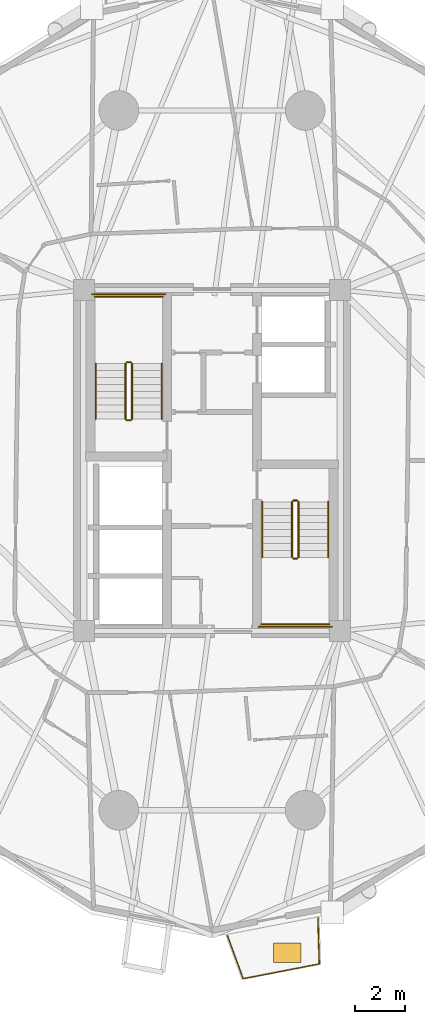
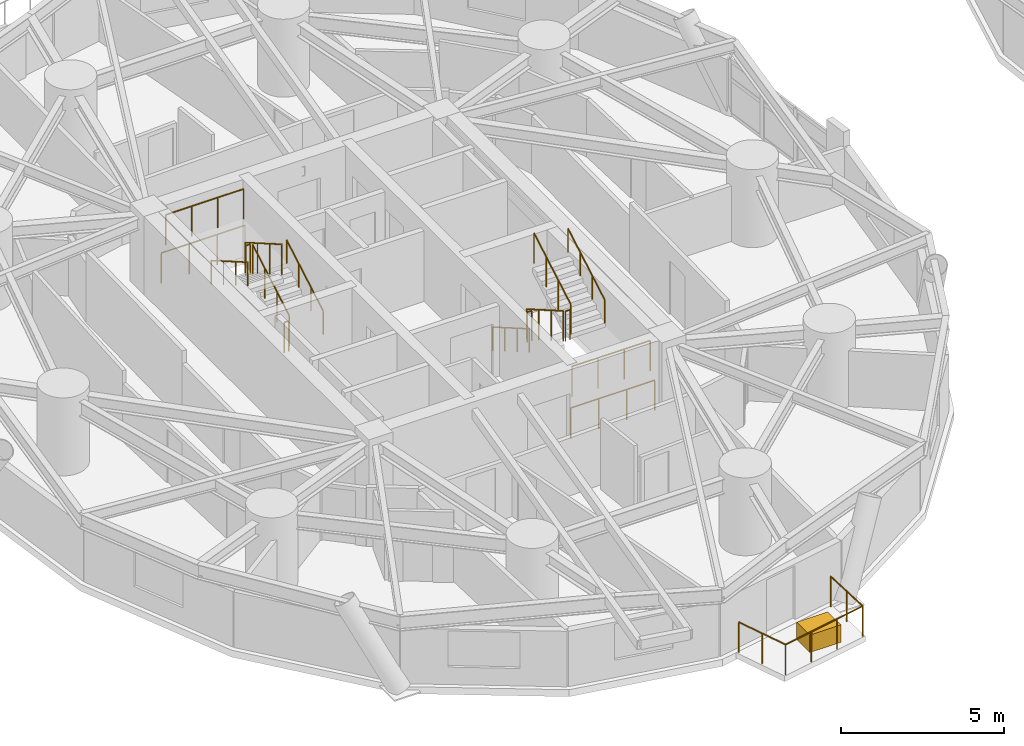
# One storey, part 18 of 20: 17 railings, 1 covering.
"""IFC4 building model written with IfcOpenShell, lengths in metres."""

from ifc_helpers import new_model, si_unit, direction, frame, origin, origin_2d, place, context, subcontext, project, spatial, rectangle, circle, extrude, source, transform, mapped, material, layer, layer_set, type_object, element, save


model = new_model("IFC4")

# Units and contexts
model_context = context("Model", 3, precision=1e-05, world=origin(), true_north=direction((0.0, 1.0)))
body_context = subcontext(model_context, "Body", "Model", "MODEL_VIEW")
ifc_project = project(units=[si_unit("LENGTHUNIT", "METRE"), si_unit("AREAUNIT", "SQUARE_METRE"), si_unit("VOLUMEUNIT", "CUBIC_METRE"), si_unit("PLANEANGLEUNIT", "RADIAN"), si_unit("MASSUNIT", "GRAM", prefix="KILO")], contexts=[model_context])

# Site, building, storey
site_placement = place(None, origin())
site = spatial("IfcSite", under=ifc_project, at=site_placement, CompositionType="ELEMENT")
building_placement = place(site_placement, origin())
building = spatial("IfcBuilding", under=site, at=building_placement, Name="Cununo Teusaquillo Station Towers", CompositionType="ELEMENT")
storey_placement = place(building_placement, frame((0.0, 0.0, 39.4599609375)))
storey = spatial("IfcBuildingStorey", under=building, at=storey_placement, Name="L11", CompositionType="ELEMENT", Elevation=39.4599609375)

# Railings
ifc_material_1 = material(Name="Anodised dark bronze aluminium EN AW-6063-T6", Category="aluminium")
railing_type_1 = type_object("IfcRailingType", Name="RL-EXT-GUARD", PredefinedType="GUARDRAIL", material=ifc_material_1)
railing_1_placement = place(storey_placement, frame((20.773193359375, 6.034423828125, 0.0)))
element("IfcRailing", 1, at=railing_1_placement, inside=storey, type_object=railing_type_1, Name="L11 Tower A Balcony Guardrail C15", PredefinedType="GUARDRAIL", context=body_context, shape_type="SweptSolid", body=[
    extrude(circle(Radius=0.02392578125, at=origin_2d()), frame((0.0, 0.0, 1.1259765625), z_axis=(0.030666047799, -0.999529686159, 0.0), x_axis=(0.999529686159, 0.030666047799, 0.0)), (0.0, 0.0, 1.0), 1.863037109375),
    extrude(circle(Radius=0.02392578125, at=origin_2d()), frame((0.05712890625, -1.862060546875, 1.1259765625), z_axis=(-0.981838510886, -0.189718577217, 0.0), x_axis=(0.189718577217, -0.981838510886, 0.0)), (0.0, 0.0, 1.0), 3.12841796875),
    extrude(circle(Radius=0.02392578125, at=origin_2d()), frame((-3.014404296875, -2.45556640625, 1.1259765625), z_axis=(-0.343888798081, 0.93901038043, 0.0), x_axis=(-0.93901038043, -0.343888798081, 0.0)), (0.0, 0.0, 1.0), 1.86279296875),
    extrude(circle(Radius=0.02099609375, at=origin_2d()), origin(), (0.0, 0.0, 1.0), 1.101806640625),
    extrude(circle(Radius=0.02099609375, at=origin_2d()), frame((0.028564453125, -0.93115234375, 0.0)), (0.0, 0.0, 1.0), 1.101806640625),
    extrude(circle(Radius=0.02099609375, at=origin_2d()), frame((0.05712890625, -1.862060546875, 0.0)), (0.0, 0.0, 1.0), 1.101806640625),
    extrude(circle(Radius=0.02099609375, at=origin_2d()), frame((-0.966796875, -2.059814453125, 0.0)), (0.0, 0.0, 1.0), 1.101806640625),
    extrude(circle(Radius=0.02099609375, at=origin_2d()), frame((-1.990478515625, -2.2578125, 0.0)), (0.0, 0.0, 1.0), 1.101806640625),
    extrude(circle(Radius=0.02099609375, at=origin_2d()), frame((-3.014404296875, -2.45556640625, 0.0)), (0.0, 0.0, 1.0), 1.101806640625),
    extrude(circle(Radius=0.02099609375, at=origin_2d()), frame((-3.334716796875, -1.5810546875, 0.0)), (0.0, 0.0, 1.0), 1.101806640625),
    extrude(circle(Radius=0.02099609375, at=origin_2d()), frame((-3.655029296875, -0.706298828125, 0.0)), (0.0, 0.0, 1.0), 1.101806640625),
])
ifc_material_2 = material(Name="Steel EN 10025-2 S355J2", Category="steel")
railing_type_2 = type_object("IfcRailingType", Name="RL-INT-GUARD", PredefinedType="GUARDRAIL", material=ifc_material_2)
railing_2_placement = place(storey_placement, frame((13.27001953125, 26.169921875, 0.16162109375)))
element("IfcRailing", 2, at=railing_2_placement, inside=storey, type_object=railing_type_2, Name="L11 ST-T1-1 stair guard 1", PredefinedType="GUARDRAIL", context=body_context, shape_type="SweptSolid", body=[
    extrude(circle(Radius=0.02392578125, at=origin_2d()), frame((0.0, 0.0, 1.1259765625), z_axis=(0.0, 0.865992244559, 0.500057429065), x_axis=(-1.0, 0.0, 0.0)), (0.0, 0.0, 1.0), 2.586669921875),
    extrude(circle(Radius=0.02099609375, at=origin_2d()), origin(), (0.0, 0.0, 1.0), 1.101806640625),
    extrude(circle(Radius=0.02099609375, at=origin_2d()), frame((0.0, 0.74658203125, 0.43115234375)), (0.0, 0.0, 1.0), 1.101806640625),
    extrude(circle(Radius=0.02099609375, at=origin_2d()), frame((0.0, 1.493408203125, 0.8623046875)), (0.0, 0.0, 1.0), 1.101806640625),
    extrude(circle(Radius=0.02099609375, at=origin_2d()), frame((0.0, 2.239990234375, 1.29345703125)), (0.0, 0.0, 1.0), 1.101806640625),
])
railing_3_placement = place(storey_placement, frame((13.219970703125, 28.4599609375, 1.455078125)))
element("IfcRailing", 3, at=railing_3_placement, inside=storey, type_object=railing_type_2, Name="L11 ST-T1-1 stair guard 2", PredefinedType="GUARDRAIL", context=body_context, shape_type="SweptSolid", body=[
    extrude(circle(Radius=0.02392578125, at=origin_2d()), frame((0.0, 0.0, 1.1259765625), z_axis=(-1.0, 0.0, 0.0), x_axis=(0.0, -1.0, 0.0)), (0.0, 0.0, 1.0), 0.159912109375),
    extrude(circle(Radius=0.02099609375, at=origin_2d()), origin(), (0.0, 0.0, 1.0), 1.101806640625),
    extrude(circle(Radius=0.02099609375, at=origin_2d()), frame((-0.159912109375, 0.0, 0.0)), (0.0, 0.0, 1.0), 1.101806640625),
])
railing_4_placement = place(storey_placement, frame((14.52001953125, 31.110107421875, 1.455078125)))
element("IfcRailing", 4, at=railing_4_placement, inside=storey, type_object=railing_type_2, Name="L11 ST-T1-1 stair guard 3", PredefinedType="GUARDRAIL", context=body_context, shape_type="SweptSolid", body=[
    extrude(circle(Radius=0.02392578125, at=origin_2d()), frame((0.0, 0.0, 1.1259765625), z_axis=(-1.0, 0.0, 0.0), x_axis=(0.0, -1.0, 0.0)), (0.0, 0.0, 1.0), 2.760009765625),
    extrude(circle(Radius=0.02099609375, at=origin_2d()), origin(), (0.0, 0.0, 1.0), 1.101806640625),
    extrude(circle(Radius=0.02099609375, at=origin_2d()), frame((-0.919921875, 0.0, 0.0)), (0.0, 0.0, 1.0), 1.101806640625),
    extrude(circle(Radius=0.02099609375, at=origin_2d()), frame((-1.840087890625, 0.0, 0.0)), (0.0, 0.0, 1.0), 1.101806640625),
    extrude(circle(Radius=0.02099609375, at=origin_2d()), frame((-2.760009765625, 0.0, 0.0)), (0.0, 0.0, 1.0), 1.101806640625),
])
railing_5_placement = place(storey_placement, frame((13.010009765625, 28.409912109375, 1.61669921875)))
element("IfcRailing", 5, at=railing_5_placement, inside=storey, type_object=railing_type_2, Name="L11 ST-T1-1 stair guard 4", PredefinedType="GUARDRAIL", context=body_context, shape_type="SweptSolid", body=[
    extrude(circle(Radius=0.02392578125, at=origin_2d()), frame((0.0, 0.0, 1.1259765625), z_axis=(0.0, -0.865992244559, 0.500057429065), x_axis=(1.0, 0.0, 0.0)), (0.0, 0.0, 1.0), 2.586669921875),
    extrude(circle(Radius=0.02099609375, at=origin_2d()), origin(), (0.0, 0.0, 1.0), 1.101806640625),
    extrude(circle(Radius=0.02099609375, at=origin_2d()), frame((0.0, -0.74658203125, 0.43115234375)), (0.0, 0.0, 1.0), 1.101806640625),
    extrude(circle(Radius=0.02099609375, at=origin_2d()), frame((0.0, -1.493408203125, 0.8623046875)), (0.0, 0.0, 1.0), 1.101806640625),
    extrude(circle(Radius=0.02099609375, at=origin_2d()), frame((0.0, -2.239990234375, 1.29345703125)), (0.0, 0.0, 1.0), 1.101806640625),
])
railing_6_placement = place(storey_placement, frame((13.219970703125, 26.1201171875, 0.0)))
element("IfcRailing", 6, at=railing_6_placement, inside=storey, type_object=railing_type_2, Name="L11 ST-T1-1 stair guard 5", PredefinedType="GUARDRAIL", context=body_context, shape_type="SweptSolid", body=[
    extrude(circle(Radius=0.02392578125, at=origin_2d()), frame((0.0, 0.0, 1.1259765625), z_axis=(-1.0, 0.0, 0.0), x_axis=(0.0, -1.0, 0.0)), (0.0, 0.0, 1.0), 0.159912109375),
    extrude(circle(Radius=0.02099609375, at=origin_2d()), origin(), (0.0, 0.0, 1.0), 1.101806640625),
    extrude(circle(Radius=0.02099609375, at=origin_2d()), frame((-0.159912109375, 0.0, 0.0)), (0.0, 0.0, 1.0), 1.101806640625),
])
railing_7_placement = place(storey_placement, frame((14.6201171875, 31.2099609375, 0.0)))
element("IfcRailing", 7, at=railing_7_placement, inside=storey, type_object=railing_type_2, Name="L11 ST-T1-1 stair guard 6", PredefinedType="GUARDRAIL", context=body_context, shape_type="SweptSolid", body=[
    extrude(circle(Radius=0.02392578125, at=origin_2d()), frame((0.0, 0.0, 1.1259765625), z_axis=(-1.0, 0.0, 0.0), x_axis=(0.0, -1.0, 0.0)), (0.0, 0.0, 1.0), 2.960205078125),
    extrude(circle(Radius=0.02099609375, at=origin_2d()), origin(), (0.0, 0.0, 1.0), 1.101806640625),
    extrude(circle(Radius=0.02099609375, at=origin_2d()), frame((-0.98681640625, 0.0, 0.0)), (0.0, 0.0, 1.0), 1.101806640625),
    extrude(circle(Radius=0.02099609375, at=origin_2d()), frame((-1.973388671875, 0.0, 0.0)), (0.0, 0.0, 1.0), 1.101806640625),
    extrude(circle(Radius=0.02099609375, at=origin_2d()), frame((-2.960205078125, 0.0, 0.0)), (0.0, 0.0, 1.0), 1.101806640625),
])
railing_8_placement = place(storey_placement, frame((19.72998046875, 22.830078125, 0.16162109375)))
element("IfcRailing", 8, at=railing_8_placement, inside=storey, type_object=railing_type_2, Name="L11 ST-T1-2 stair guard 1", PredefinedType="GUARDRAIL", context=body_context, shape_type="SweptSolid", body=[
    extrude(circle(Radius=0.02392578125, at=origin_2d()), frame((0.0, 0.0, 1.1259765625), z_axis=(0.0, -0.865992244559, 0.500057429065), x_axis=(1.0, 0.0, 0.0)), (0.0, 0.0, 1.0), 2.586669921875),
    extrude(circle(Radius=0.02099609375, at=origin_2d()), origin(), (0.0, 0.0, 1.0), 1.101806640625),
    extrude(circle(Radius=0.02099609375, at=origin_2d()), frame((0.0, -0.74658203125, 0.43115234375)), (0.0, 0.0, 1.0), 1.101806640625),
    extrude(circle(Radius=0.02099609375, at=origin_2d()), frame((0.0, -1.493408203125, 0.8623046875)), (0.0, 0.0, 1.0), 1.101806640625),
    extrude(circle(Radius=0.02099609375, at=origin_2d()), frame((0.0, -2.239990234375, 1.29345703125)), (0.0, 0.0, 1.0), 1.101806640625),
])
railing_9_placement = place(storey_placement, frame((19.780029296875, 20.5400390625, 1.455078125)))
element("IfcRailing", 9, at=railing_9_placement, inside=storey, type_object=railing_type_2, Name="L11 ST-T1-2 stair guard 2", PredefinedType="GUARDRAIL", context=body_context, shape_type="SweptSolid", body=[
    extrude(circle(Radius=0.02392578125, at=origin_2d()), frame((0.0, 0.0, 1.1259765625), z_axis=(1.0, 0.0, 0.0), x_axis=(0.0, 1.0, 0.0)), (0.0, 0.0, 1.0), 0.159912109375),
    extrude(circle(Radius=0.02099609375, at=origin_2d()), origin(), (0.0, 0.0, 1.0), 1.101806640625),
    extrude(circle(Radius=0.02099609375, at=origin_2d()), frame((0.159912109375, 0.0, 0.0)), (0.0, 0.0, 1.0), 1.101806640625),
])
railing_10_placement = place(storey_placement, frame((18.47998046875, 17.889892578125, 1.455078125)))
element("IfcRailing", 10, at=railing_10_placement, inside=storey, type_object=railing_type_2, Name="L11 ST-T1-2 stair guard 3", PredefinedType="GUARDRAIL", context=body_context, shape_type="SweptSolid", body=[
    extrude(circle(Radius=0.02392578125, at=origin_2d()), frame((0.0, 0.0, 1.1259765625), z_axis=(1.0, 0.0, 0.0), x_axis=(0.0, 1.0, 0.0)), (0.0, 0.0, 1.0), 2.760009765625),
    extrude(circle(Radius=0.02099609375, at=origin_2d()), origin(), (0.0, 0.0, 1.0), 1.101806640625),
    extrude(circle(Radius=0.02099609375, at=origin_2d()), frame((0.919921875, 0.0, 0.0)), (0.0, 0.0, 1.0), 1.101806640625),
    extrude(circle(Radius=0.02099609375, at=origin_2d()), frame((1.840087890625, 0.0, 0.0)), (0.0, 0.0, 1.0), 1.101806640625),
    extrude(circle(Radius=0.02099609375, at=origin_2d()), frame((2.760009765625, 0.0, 0.0)), (0.0, 0.0, 1.0), 1.101806640625),
])
railing_11_placement = place(storey_placement, frame((19.989990234375, 20.590087890625, 1.61669921875)))
element("IfcRailing", 11, at=railing_11_placement, inside=storey, type_object=railing_type_2, Name="L11 ST-T1-2 stair guard 4", PredefinedType="GUARDRAIL", context=body_context, shape_type="SweptSolid", body=[
    extrude(circle(Radius=0.02392578125, at=origin_2d()), frame((0.0, 0.0, 1.1259765625), z_axis=(0.0, 0.865992244559, 0.500057429065), x_axis=(-1.0, 0.0, 0.0)), (0.0, 0.0, 1.0), 2.586669921875),
    extrude(circle(Radius=0.02099609375, at=origin_2d()), origin(), (0.0, 0.0, 1.0), 1.101806640625),
    extrude(circle(Radius=0.02099609375, at=origin_2d()), frame((0.0, 0.74658203125, 0.43115234375)), (0.0, 0.0, 1.0), 1.101806640625),
    extrude(circle(Radius=0.02099609375, at=origin_2d()), frame((0.0, 1.493408203125, 0.8623046875)), (0.0, 0.0, 1.0), 1.101806640625),
    extrude(circle(Radius=0.02099609375, at=origin_2d()), frame((0.0, 2.239990234375, 1.29345703125)), (0.0, 0.0, 1.0), 1.101806640625),
])
railing_12_placement = place(storey_placement, frame((19.780029296875, 22.8798828125, 0.0)))
element("IfcRailing", 12, at=railing_12_placement, inside=storey, type_object=railing_type_2, Name="L11 ST-T1-2 stair guard 5", PredefinedType="GUARDRAIL", context=body_context, shape_type="SweptSolid", body=[
    extrude(circle(Radius=0.02392578125, at=origin_2d()), frame((0.0, 0.0, 1.1259765625), z_axis=(1.0, 0.0, 0.0), x_axis=(0.0, 1.0, 0.0)), (0.0, 0.0, 1.0), 0.159912109375),
    extrude(circle(Radius=0.02099609375, at=origin_2d()), origin(), (0.0, 0.0, 1.0), 1.101806640625),
    extrude(circle(Radius=0.02099609375, at=origin_2d()), frame((0.159912109375, 0.0, 0.0)), (0.0, 0.0, 1.0), 1.101806640625),
])
railing_13_placement = place(storey_placement, frame((18.3798828125, 17.7900390625, 0.0)))
element("IfcRailing", 13, at=railing_13_placement, inside=storey, type_object=railing_type_2, Name="L11 ST-T1-2 stair guard 6", PredefinedType="GUARDRAIL", context=body_context, shape_type="SweptSolid", body=[
    extrude(circle(Radius=0.02392578125, at=origin_2d()), frame((0.0, 0.0, 1.1259765625), z_axis=(1.0, 0.0, 0.0), x_axis=(0.0, 1.0, 0.0)), (0.0, 0.0, 1.0), 2.960205078125),
    extrude(circle(Radius=0.02099609375, at=origin_2d()), origin(), (0.0, 0.0, 1.0), 1.101806640625),
    extrude(circle(Radius=0.02099609375, at=origin_2d()), frame((0.98681640625, 0.0, 0.0)), (0.0, 0.0, 1.0), 1.101806640625),
    extrude(circle(Radius=0.02099609375, at=origin_2d()), frame((1.973388671875, 0.0, 0.0)), (0.0, 0.0, 1.0), 1.101806640625),
    extrude(circle(Radius=0.02099609375, at=origin_2d()), frame((2.960205078125, 0.0, 0.0)), (0.0, 0.0, 1.0), 1.101806640625),
])
ifc_material_3 = material(Name="Steel EN 10025-2 S355J2", Category="steel")
railing_type_3 = type_object("IfcRailingType", Name="RL-INT-HRAIL", PredefinedType="HANDRAIL", material=ifc_material_3)
railing_14_placement = place(storey_placement, frame((14.469970703125, 26.169921875, 0.16162109375)))
element("IfcRailing", 14, at=railing_14_placement, inside=storey, type_object=railing_type_3, Name="L11 ST-T1-1 stair handrail 1", PredefinedType="HANDRAIL", context=body_context, shape_type="SweptSolid", body=[
    extrude(circle(Radius=0.02392578125, at=origin_2d()), frame((0.0, 0.0, 0.8759765625), z_axis=(0.0, 0.865992244559, 0.500057429065), x_axis=(-1.0, 0.0, 0.0)), (0.0, 0.0, 1.0), 2.586669921875),
    extrude(circle(Radius=0.02099609375, at=origin_2d()), origin(), (0.0, 0.0, 1.0), 0.851806640625),
    extrude(circle(Radius=0.02099609375, at=origin_2d()), frame((0.0, 0.74658203125, 0.43115234375)), (0.0, 0.0, 1.0), 0.851806640625),
    extrude(circle(Radius=0.02099609375, at=origin_2d()), frame((0.0, 1.493408203125, 0.8623046875)), (0.0, 0.0, 1.0), 0.851806640625),
    extrude(circle(Radius=0.02099609375, at=origin_2d()), frame((0.0, 2.239990234375, 1.29345703125)), (0.0, 0.0, 1.0), 0.851806640625),
])
for number, where, name in (
    (15, (11.81005859375, 28.409912109375, 1.61669921875), "L11 ST-T1-1 stair handrail 2"),
    (16, (18.530029296875, 22.830078125, 0.16162109375), "L11 ST-T1-2 stair handrail 1"),
):
    element("IfcRailing", number, at=place(storey_placement, frame(where)), inside=storey, type_object=railing_type_3, Name=name, PredefinedType="HANDRAIL", context=body_context, shape_type="SweptSolid", body=[
        extrude(circle(Radius=0.02392578125, at=origin_2d()), frame((0.0, 0.0, 0.8759765625), z_axis=(0.0, -0.865992244559, 0.500057429065), x_axis=(1.0, 0.0, 0.0)), (0.0, 0.0, 1.0), 2.586669921875),
        extrude(circle(Radius=0.02099609375, at=origin_2d()), origin(), (0.0, 0.0, 1.0), 0.851806640625),
        extrude(circle(Radius=0.02099609375, at=origin_2d()), frame((0.0, -0.74658203125, 0.43115234375)), (0.0, 0.0, 1.0), 0.851806640625),
        extrude(circle(Radius=0.02099609375, at=origin_2d()), frame((0.0, -1.493408203125, 0.8623046875)), (0.0, 0.0, 1.0), 0.851806640625),
        extrude(circle(Radius=0.02099609375, at=origin_2d()), frame((0.0, -2.239990234375, 1.29345703125)), (0.0, 0.0, 1.0), 0.851806640625),
    ])
railing_15_placement = place(storey_placement, frame((21.18994140625, 20.590087890625, 1.61669921875)))
element("IfcRailing", 17, at=railing_15_placement, inside=storey, type_object=railing_type_3, Name="L11 ST-T1-2 stair handrail 2", PredefinedType="HANDRAIL", context=body_context, shape_type="SweptSolid", body=[
    extrude(circle(Radius=0.02392578125, at=origin_2d()), frame((0.0, 0.0, 0.8759765625), z_axis=(0.0, 0.865992244559, 0.500057429065), x_axis=(-1.0, 0.0, 0.0)), (0.0, 0.0, 1.0), 2.586669921875),
    extrude(circle(Radius=0.02099609375, at=origin_2d()), origin(), (0.0, 0.0, 1.0), 0.851806640625),
    extrude(circle(Radius=0.02099609375, at=origin_2d()), frame((0.0, 0.74658203125, 0.43115234375)), (0.0, 0.0, 1.0), 0.851806640625),
    extrude(circle(Radius=0.02099609375, at=origin_2d()), frame((0.0, 1.493408203125, 0.8623046875)), (0.0, 0.0, 1.0), 0.851806640625),
    extrude(circle(Radius=0.02099609375, at=origin_2d()), frame((0.0, 2.239990234375, 1.29345703125)), (0.0, 0.0, 1.0), 0.851806640625),
])

# Covering
ifc_material_4 = material(Name="Architectural GRC planter shell and engineered root-zone substrate", Category="concrete")
ifc_layer = layer(ifc_material_4, 0.64990234375)
ifc_layer_set = layer_set([ifc_layer], Name="Architectural GRC planter shell and engineered root-zone substrate")
covering_type = type_object("IfcCoveringType", Name="COV-TREE-PLANTER", PredefinedType="CLADDING", material=ifc_layer_set)
shared_shape = source(origin(), body_context, "Body", "SweptSolid", [
    extrude(rectangle(XDim=1.10009765625, YDim=0.800048828125, at=origin_2d()), origin(), (0.0, 0.0, 1.0), 0.64990234375),
])
covering_placement = place(storey_placement, frame((19.541015625, 4.629150390625, 0.0), z_axis=(0.0, 0.0, 1.0), x_axis=(1.0, 0.0, 0.0)))
element("IfcCovering", 18, at=covering_placement, inside=storey, type_object=covering_type, Name="L11 Tower A Balcony Tree PLANTER C15", PredefinedType="CLADDING", context=body_context, shape_type="MappedRepresentation", body=[
    mapped(shared_shape, transform((0.0, 0.0, 0.0), x_axis=(1.0, 0.0, 0.0), y_axis=(0.0, 1.0, 0.0), z_axis=(0.0, 0.0, 1.0), scale=1.0)),
])

save(model, "model.ifc")
